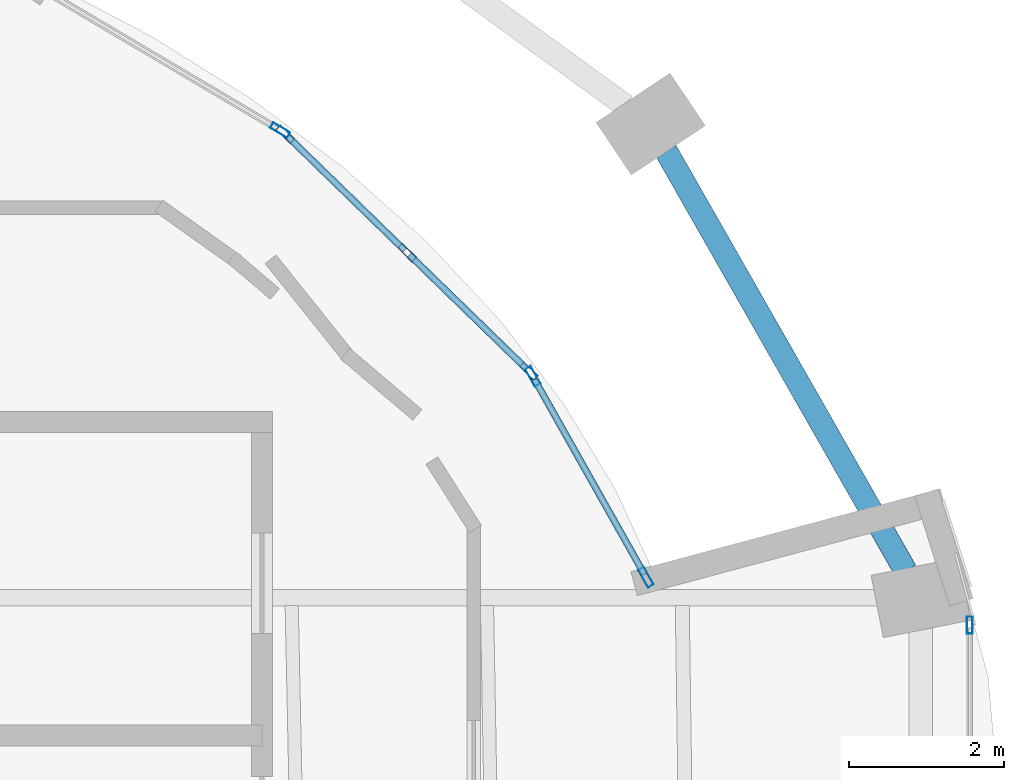
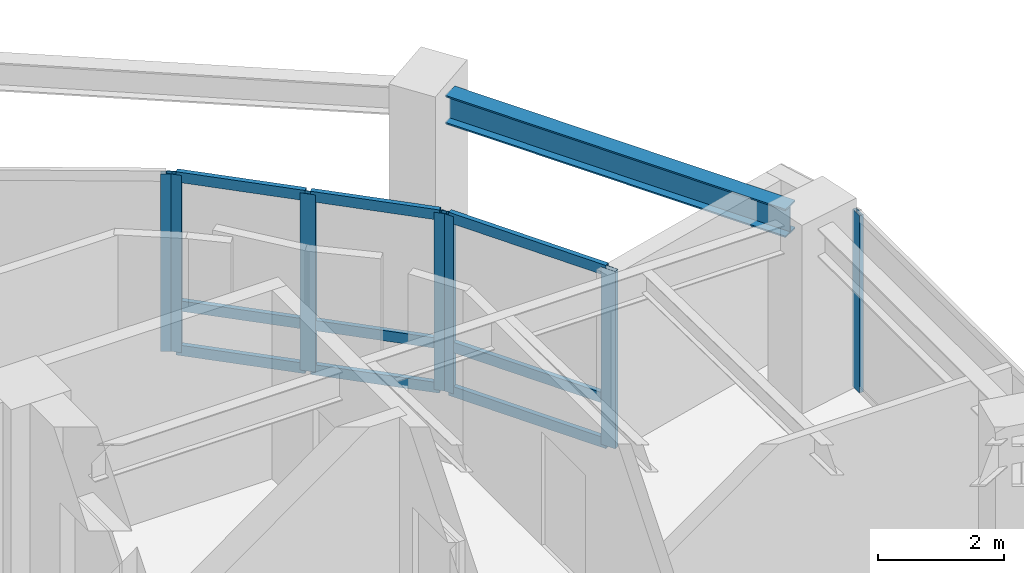
# One storey, part 11 of 19: 16 members, 1 beam, 4 elements without a shape of their own.
"""IFC4 building model written with IfcOpenShell, lengths in metres."""

import ifcopenshell
import ifcopenshell.guid

model = None  # the IFC model being written
_history = None  # IfcOwnerHistory: only IFC2X3 demands one
_inside = {}  # id of a spatial element -> (the spatial element, [elements in it])
_under = {}  # id of a project, library or spatial element -> (it, [spatial elements below it])
_declared = {}  # id of a project -> (the project, [libraries it declares])
_typed = {}  # id of a type object -> (the type object, [elements of that type])
_made_of = {}  # id of a material, layer set ... -> (it, [elements and type objects made of it])


def new_model(schema):
    """Start an empty IFC model of exactly this schema.

    Asked for "IFC4X3", IfcOpenShell would pick the latest addendum, in which some entities
    have other attributes; the version numbers below select the first issue.
    IFC2X3 requires an IfcOwnerHistory on every rooted entity: one is made here for all.
    """
    global model, _history
    if schema == "IFC4X3":
        model = ifcopenshell.file(schema_version=(4, 3, 0, 0))
    else:
        model = ifcopenshell.file(schema=schema)
    _inside.clear()
    _under.clear()
    _declared.clear()
    _typed.clear()
    _made_of.clear()
    _history = None
    if model.schema == "IFC2X3":
        org = make("IfcOrganization", Name="unknown")
        user = make(
            "IfcPersonAndOrganization",
            ThePerson=make("IfcPerson", FamilyName="unknown"),
            TheOrganization=org,
        )
        app = make(
            "IfcApplication",
            ApplicationDeveloper=org,
            Version="unknown",
            ApplicationFullName="unknown",
            ApplicationIdentifier="unknown",
        )
        _history = make(
            "IfcOwnerHistory",
            OwningUser=user,
            OwningApplication=app,
            ChangeAction="ADDED",
            CreationDate=0,
        )
    return model


def make(cls, **values):
    """One entity of the class cls with the attributes given. An attribute that is None is left unset."""
    return model.create_entity(
        cls, **{name: value for name, value in values.items() if value is not None}
    )


def rooted(cls, **values):
    """An entity with a GlobalId (a new one), such as an element, a storey or a relation."""
    return make(cls, GlobalId=ifcopenshell.guid.new(), OwnerHistory=_history, **values)


def si_unit(unit_type, name, prefix=None):
    """IfcSIUnit, for example si_unit("LENGTHUNIT", "METRE", prefix="MILLI")."""
    return make("IfcSIUnit", UnitType=unit_type, Prefix=prefix, Name=name)


def assignment(units):
    """IfcUnitAssignment: the units of a project."""
    return None if units is None else make("IfcUnitAssignment", Units=units)


def point(xyz):
    """IfcCartesianPoint."""
    return None if xyz is None else make("IfcCartesianPoint", Coordinates=xyz)


def direction(xyz):
    """IfcDirection."""
    return None if xyz is None else make("IfcDirection", DirectionRatios=xyz)


def frame(location, z_axis=None, x_axis=None):
    """IfcAxis2Placement3D, a coordinate frame: its origin and axes. An axis left out is left unset."""
    return make(
        "IfcAxis2Placement3D",
        Location=point(location),
        Axis=direction(z_axis),
        RefDirection=direction(x_axis),
    )


def frame_2d(location, x_axis=None):
    """IfcAxis2Placement2D, a coordinate frame in the plane: its origin and x axis."""
    return make(
        "IfcAxis2Placement2D", Location=point(location), RefDirection=direction(x_axis)
    )


def origin():
    """The frame at (0, 0, 0) with its axes left unset."""
    return frame((0.0, 0.0, 0.0))


def origin_2d():
    """The frame at (0, 0) in the plane with its x axis left unset."""
    return frame_2d((0.0, 0.0))


def place(relative_to, where):
    """IfcLocalPlacement: puts the frame where relative to a parent placement (None: the world)."""
    return make(
        "IfcLocalPlacement", PlacementRelTo=relative_to, RelativePlacement=where
    )


def context(
    kind, dimensions, precision=None, world=None, true_north=None, identifier=None
):
    """IfcGeometricRepresentationContext, for example the 3D "Model" context."""
    return make(
        "IfcGeometricRepresentationContext",
        ContextIdentifier=identifier,
        ContextType=kind,
        CoordinateSpaceDimension=dimensions,
        Precision=precision,
        WorldCoordinateSystem=world,
        TrueNorth=true_north,
    )


def subcontext(parent, identifier, kind, view, scale=None):
    """IfcGeometricRepresentationSubContext, for example "Body" below "Model"."""
    return make(
        "IfcGeometricRepresentationSubContext",
        ContextIdentifier=identifier,
        ContextType=kind,
        ParentContext=parent,
        TargetScale=scale,
        TargetView=view,
    )


def project(units=None, contexts=None):
    """IfcProject with its units and contexts."""
    return rooted(
        "IfcProject",
        Name="project",
        RepresentationContexts=contexts,
        UnitsInContext=assignment(units),
    )


def spatial(cls, under=None, at=None, **own):
    """A site, building, storey or space (cls), placed at a placement, below another one or the project."""
    s = rooted(cls, ObjectPlacement=at, **own)
    if under is not None:
        _under.setdefault(under.id(), (under, []))[1].append(s)
    return s


def profile(cls, at=None, kind="AREA", **sizes):
    """A parametric profile (cls). Its sizes go by their IFC names, for example OverallWidth=200.0."""
    return make(cls, ProfileType=kind, Position=at, **sizes)


def hollow_rectangle(**sizes):
    """IfcRectangleHollowProfileDef."""
    return profile("IfcRectangleHollowProfileDef", **sizes)


def i_section(**sizes):
    """IfcIShapeProfileDef."""
    return profile("IfcIShapeProfileDef", **sizes)


def extrude(swept, where, along, depth):
    """IfcExtrudedAreaSolid: the profile swept, set in the frame where, extruded along a direction by depth."""
    return make(
        "IfcExtrudedAreaSolid",
        SweptArea=swept,
        Position=where,
        ExtrudedDirection=direction(along),
        Depth=depth,
    )


def shape(context_of_items, identifier, shape_type, items):
    """IfcShapeRepresentation: the items that make up one representation, for example the "Body"."""
    return make(
        "IfcShapeRepresentation",
        ContextOfItems=context_of_items,
        RepresentationIdentifier=identifier,
        RepresentationType=shape_type,
        Items=items,
    )


def material(Name=None, Category=None):
    """IfcMaterial."""
    return make("IfcMaterial", Name=Name, Category=Category)


def layer(
    of_material, thickness, ventilated=None, Name=None, Category=None, Priority=None
):
    """IfcMaterialLayer: one layer of a wall or slab, of a material (None: an air gap)."""
    return make(
        "IfcMaterialLayer",
        Material=of_material,
        LayerThickness=thickness,
        IsVentilated=ventilated,
        Name=Name,
        Category=Category,
        Priority=Priority,
    )


def layer_set(layers, Name=None):
    """IfcMaterialLayerSet."""
    return make("IfcMaterialLayerSet", MaterialLayers=layers, LayerSetName=Name)


def material_profile(
    of_material, cross_section, Name=None, Category=None, Priority=None
):
    """IfcMaterialProfile: a cross section and its material."""
    return make(
        "IfcMaterialProfile",
        Name=Name,
        Material=of_material,
        Profile=cross_section,
        Priority=Priority,
        Category=Category,
    )


def profile_set(profiles, Name=None, composite=None):
    """IfcMaterialProfileSet."""
    return make(
        "IfcMaterialProfileSet",
        Name=Name,
        MaterialProfiles=profiles,
        CompositeProfile=composite,
    )


def made_of(thing, what):
    """Note that an element or type object is made of a material, layer set ...; save() writes the relation."""
    if what is not None:
        _made_of.setdefault(what.id(), (what, []))[1].append(thing)
    return thing


def type_object(cls, material=None, **own):
    """A type object (cls), such as IfcWallType, which elements share."""
    return made_of(rooted(cls, **own), material)


def element(
    cls,
    number,
    at=None,
    inside=None,
    cuts=None,
    type_object=None,
    material=None,
    context=None,
    identifier="Body",
    shape_type=None,
    held_by="IfcProductDefinitionShape",
    body=None,
    shapes=None,
    **own,
):
    """One element of the class cls, such as IfcWall. Its Tag is "e" and its number.

    at: its placement. inside: the storey or other place that contains it. cuts: it is an
    opening in that element (IfcRelVoidsElement). A single representation is given by context,
    identifier, shape_type and body (its items); several are given by shapes. held_by: the class
    of the entity that holds the representations. save() writes the other relations.
    """
    e = rooted(cls, Tag="e%d" % number, ObjectPlacement=at, **own)
    if body is not None:
        shapes = [shape(context, identifier, shape_type, body)]
    if shapes is not None:
        e.Representation = make(held_by, Representations=shapes)
    if inside is not None:
        _inside.setdefault(inside.id(), (inside, []))[1].append(e)
    if cuts is not None:
        rooted(
            "IfcRelVoidsElement", RelatingBuildingElement=cuts, RelatedOpeningElement=e
        )
    if type_object is not None:
        _typed.setdefault(type_object.id(), (type_object, []))[1].append(e)
    return made_of(e, material)


def aggregate(whole, parts):
    """IfcRelAggregates: a whole, such as a stair, and the parts it consists of."""
    return rooted("IfcRelAggregates", RelatingObject=whole, RelatedObjects=parts)


def save(model, path):
    """Write the relations noted so far, then the file.

    IfcRelAggregates (storeys below a building ...), IfcRelContainedInSpatialStructure (elements
    in a storey), IfcRelDefinesByType, IfcRelAssociatesMaterial and IfcRelDeclares: one each for
    every whole, place, type object, material and project.
    """
    for whole, parts in _under.values():
        aggregate(whole, parts)
    for where, things in _inside.values():
        rooted(
            "IfcRelContainedInSpatialStructure",
            RelatedElements=things,
            RelatingStructure=where,
        )
    for kind, things in _typed.values():
        rooted("IfcRelDefinesByType", RelatedObjects=things, RelatingType=kind)
    for what, things in _made_of.values():
        rooted("IfcRelAssociatesMaterial", RelatedObjects=things, RelatingMaterial=what)
    for by, libraries in _declared.values():
        rooted("IfcRelDeclares", RelatingContext=by, RelatedDefinitions=libraries)
    model.write(path)


model = new_model("IFC4")

# Units and contexts
model_context = context("Model", 3, precision=1e-05, world=origin(), true_north=direction((0.0, 1.0)))
body_context = subcontext(model_context, "Body", "Model", "MODEL_VIEW")
ifc_project = project(units=[si_unit("LENGTHUNIT", "METRE"), si_unit("AREAUNIT", "SQUARE_METRE"), si_unit("VOLUMEUNIT", "CUBIC_METRE"), si_unit("PLANEANGLEUNIT", "RADIAN"), si_unit("MASSUNIT", "GRAM", prefix="KILO")], contexts=[model_context])

# Site, building, storey
site_placement = place(None, origin())
site = spatial("IfcSite", under=ifc_project, at=site_placement, CompositionType="ELEMENT")
building_placement = place(site_placement, origin())
building = spatial("IfcBuilding", under=site, at=building_placement, Name="Lazwardi Medical Tower", CompositionType="ELEMENT")
storey_placement = place(building_placement, frame((0.0, 0.0, 167.471923828125)))
storey = spatial("IfcBuildingStorey", under=building, at=storey_placement, Name="L43", CompositionType="ELEMENT", Elevation=167.471923828125)

# Beam
ifc_material_1 = material(Name="Steel S355", Category="steel")
ifc_material_profile_1 = material_profile(ifc_material_1, i_section(OverallWidth=0.300048828125, OverallDepth=0.550048828125, WebThickness=0.014892578125, FlangeThickness=0.029052734375, at=origin_2d()), Name="HEB 550")
ifc_profile_set_1 = profile_set([ifc_material_profile_1], Name="Steel S355")
beam_type = type_object("IfcBeamType", Name="BM-RB-Z3", PredefinedType="BEAM", material=ifc_profile_set_1)
beam_placement = place(storey_placement, frame((58.727783203125, 34.05908203125, 3.153076171875), z_axis=(-0.495460926326, 0.868630226554, 0.0), x_axis=(-0.868630226554, -0.495460926326, 0.0)))
element("IfcBeam", 1, at=beam_placement, inside=storey, type_object=beam_type, Name="Ring beam RB-04 B05 L43", PredefinedType="BEAM", context=body_context, shape_type="SweptSolid", body=[
    extrude(i_section(OverallWidth=0.300048828125, OverallDepth=0.550048828125, WebThickness=0.014892578125, FlangeThickness=0.029052734375, at=origin_2d()), origin(), (0.0, 0.0, 1.0), 6.24462890625),
])

# Curtain wall, member
ifc_material_2 = material(Name="Anodised bronze aluminium and solar control glazing", Category="aluminium")
ifc_layer_1 = layer(ifc_material_2, 0.195068359375)
ifc_layer_set_1 = layer_set([ifc_layer_1], Name="Anodised bronze aluminium and solar control glazing")
curtain_wall_type_1 = type_object("IfcCurtainWallType", Name="CW-SYS-03", PredefinedType="NOTDEFINED", material=ifc_layer_set_1)
curtain_wall_1_placement = place(storey_placement, origin())
curtain_wall_1 = element("IfcCurtainWall", 2, at=curtain_wall_1_placement, inside=storey, type_object=curtain_wall_type_1, Name="L43 Unitised bronze curtain wall CW-03", PredefinedType="NOTDEFINED")
ifc_material_3 = material(Name="Anodised bronze aluminium", Category="aluminium")
ifc_material_profile_2 = material_profile(ifc_material_3, hollow_rectangle(XDim=0.074951171875, YDim=0.219970703125, WallThickness=0.00390625, at=origin_2d()), Name="ALU-MULLION 220x75x4")
ifc_profile_set_2 = profile_set([ifc_material_profile_2], Name="Anodised bronze aluminium")
member_type_1 = type_object("IfcMemberType", Name="CW-MUL-01", PredefinedType="MULLION", material=ifc_profile_set_2)
member_1_placement = place(storey_placement, frame((59.5576171875, 33.35791015625, 0.0), z_axis=(0.0, 0.0, 1.0), x_axis=(-1.0, 0.0, 0.0)))
member_1 = element("IfcMember", 3, at=member_1_placement, type_object=member_type_1, Name="CW-03 mullion 2", PredefinedType="MULLION", context=body_context, shape_type="SweptSolid", body=[
    extrude(hollow_rectangle(XDim=0.074951171875, YDim=0.219970703125, WallThickness=0.00390625, at=origin_2d()), origin(), (0.0, 0.0, 1.0), 3.427978515625),
])
aggregate(curtain_wall_1, [member_1])

# Curtain wall, members
ifc_layer_2 = layer(ifc_material_2, 0.239990234375)
ifc_layer_set_2 = layer_set([ifc_layer_2], Name="Anodised bronze aluminium and solar control glazing")
curtain_wall_type_2 = type_object("IfcCurtainWallType", Name="CW-SYS-05", PredefinedType="NOTDEFINED", material=ifc_layer_set_2)
curtain_wall_2_placement = place(storey_placement, origin())
curtain_wall_2 = element("IfcCurtainWall", 4, at=curtain_wall_2_placement, inside=storey, type_object=curtain_wall_type_2, Name="L43 Unitised bronze curtain wall CW-05", PredefinedType="NOTDEFINED")
ifc_material_profile_3 = material_profile(ifc_material_3, hollow_rectangle(XDim=0.0849609375, YDim=0.260009765625, WallThickness=0.0048828125, at=origin_2d()), Name="ALU-MULLION 260x85x5")
ifc_profile_set_3 = profile_set([ifc_material_profile_3], Name="Anodised bronze aluminium")
member_type_2 = type_object("IfcMemberType", Name="CW-MUL-02", PredefinedType="MULLION", material=ifc_profile_set_3)
member_2_placement = place(storey_placement, frame((55.375, 33.9775390625, 0.0), z_axis=(0.0, 0.0, 1.0), x_axis=(-0.87122325606, -0.49088699117, 0.0)))
member_2 = element("IfcMember", 5, at=member_2_placement, type_object=member_type_2, Name="CW-05 mullion 1", PredefinedType="MULLION", context=body_context, shape_type="SweptSolid", body=[
    extrude(hollow_rectangle(XDim=0.0849609375, YDim=0.260009765625, WallThickness=0.0048828125, at=origin_2d()), origin(), (0.0, 0.0, 1.0), 3.427978515625),
])
member_3_placement = place(storey_placement, frame((53.912353515625, 36.573486328125, 0.0), z_axis=(0.0, 0.0, 1.0), x_axis=(-0.87122325606, -0.49088699117, 0.0)))
member_3 = element("IfcMember", 6, at=member_3_placement, type_object=member_type_2, Name="CW-05 mullion 2", PredefinedType="MULLION", context=body_context, shape_type="SweptSolid", body=[
    extrude(hollow_rectangle(XDim=0.0849609375, YDim=0.260009765625, WallThickness=0.0048828125, at=origin_2d()), origin(), (0.0, 0.0, 1.0), 3.427978515625),
])

# Curtain wall, member
curtain_wall_3_placement = place(storey_placement, origin())
curtain_wall_3 = element("IfcCurtainWall", 7, at=curtain_wall_3_placement, inside=storey, type_object=curtain_wall_type_2, Name="L43 Unitised bronze curtain wall CW-05", PredefinedType="NOTDEFINED")
member_4_placement = place(storey_placement, frame((50.64892578125, 39.75146484375, 0.0), z_axis=(0.0, 0.0, 1.0), x_axis=(-0.509570850923, -0.860428700061, 0.0)))
member_4 = element("IfcMember", 8, at=member_4_placement, type_object=member_type_2, Name="CW-05 mullion 1", PredefinedType="MULLION", context=body_context, shape_type="SweptSolid", body=[
    extrude(hollow_rectangle(XDim=0.0849609375, YDim=0.260009765625, WallThickness=0.0048828125, at=origin_2d()), origin(), (0.0, 0.0, 1.0), 3.427978515625),
])
aggregate(curtain_wall_3, [member_4])

# Curtain wall, members
curtain_wall_4_placement = place(storey_placement, origin())
curtain_wall_4 = element("IfcCurtainWall", 9, at=curtain_wall_4_placement, inside=storey, type_object=curtain_wall_type_2, Name="L43 Unitised bronze curtain wall CW-05", PredefinedType="NOTDEFINED")
member_5_placement = place(storey_placement, frame((53.86083984375, 36.64013671875, 0.0), z_axis=(0.0, 0.0, 1.0), x_axis=(-0.697348441329, -0.716732273151, 0.0)))
member_5 = element("IfcMember", 10, at=member_5_placement, type_object=member_type_2, Name="CW-05 mullion 1", PredefinedType="MULLION", context=body_context, shape_type="SweptSolid", body=[
    extrude(hollow_rectangle(XDim=0.0849609375, YDim=0.260009765625, WallThickness=0.0048828125, at=origin_2d()), origin(), (0.0, 0.0, 1.0), 3.427978515625),
])
member_6_placement = place(storey_placement, frame((52.28857421875, 38.170166015625, 0.0), z_axis=(0.0, 0.0, 1.0), x_axis=(-0.697348441329, -0.716732273151, 0.0)))
member_6 = element("IfcMember", 11, at=member_6_placement, type_object=member_type_2, Name="CW-05 mullion 2", PredefinedType="MULLION", context=body_context, shape_type="SweptSolid", body=[
    extrude(hollow_rectangle(XDim=0.0849609375, YDim=0.260009765625, WallThickness=0.0048828125, at=origin_2d()), origin(), (0.0, 0.0, 1.0), 3.427978515625),
])
member_7_placement = place(storey_placement, frame((50.716064453125, 39.699951171875, 0.0), z_axis=(0.0, 0.0, 1.0), x_axis=(-0.697348441329, -0.716732273151, 0.0)))
member_7 = element("IfcMember", 12, at=member_7_placement, type_object=member_type_2, Name="CW-05 mullion 3", PredefinedType="MULLION", context=body_context, shape_type="SweptSolid", body=[
    extrude(hollow_rectangle(XDim=0.0849609375, YDim=0.260009765625, WallThickness=0.0048828125, at=origin_2d()), origin(), (0.0, 0.0, 1.0), 3.427978515625),
])

# Member
ifc_material_profile_4 = material_profile(ifc_material_3, hollow_rectangle(XDim=0.0849609375, YDim=0.199951171875, WallThickness=0.00439453125, at=origin_2d()), Name="ALU-TRANSOM 200x85x4.5")
ifc_profile_set_4 = profile_set([ifc_material_profile_4], Name="Anodised bronze aluminium")
member_type_3 = type_object("IfcMemberType", Name="CW-TRN-02", PredefinedType="USERDEFINED", material=ifc_profile_set_4)
member_8_placement = place(storey_placement, frame((55.35400390625, 34.0146484375, 0.04248046875), z_axis=(-0.490861767795, 0.871237467581, 0.0), x_axis=(-0.871237467581, -0.490861767795, 0.0)))
member_8 = element("IfcMember", 13, at=member_8_placement, type_object=member_type_3, Name="CW-05 transom 1.1", ObjectType="TRANSOM", PredefinedType="USERDEFINED", context=body_context, shape_type="SweptSolid", body=[
    extrude(hollow_rectangle(XDim=0.0849609375, YDim=0.199951171875, WallThickness=0.00439453125, at=origin_2d()), origin(), (0.0, 0.0, 1.0), 2.894775390625),
])

member_9_placement = place(storey_placement, frame((55.35400390625, 34.0146484375, 0.900146484375), z_axis=(-0.490861767795, 0.871237467581, 0.0), x_axis=(-0.871237467581, -0.490861767795, 0.0)))
member_9 = element("IfcMember", 14, at=member_9_placement, type_object=member_type_3, Name="CW-05 transom 1.2", ObjectType="TRANSOM", PredefinedType="USERDEFINED", context=body_context, shape_type="SweptSolid", body=[
    extrude(hollow_rectangle(XDim=0.0849609375, YDim=0.199951171875, WallThickness=0.00439453125, at=origin_2d()), origin(), (0.0, 0.0, 1.0), 2.894775390625),
])

member_10_placement = place(storey_placement, frame((55.35400390625, 34.0146484375, 3.385498046875), z_axis=(-0.490861767795, 0.871237467581, 0.0), x_axis=(-0.871237467581, -0.490861767795, 0.0)))
member_10 = element("IfcMember", 15, at=member_10_placement, type_object=member_type_3, Name="CW-05 transom 1.3", ObjectType="TRANSOM", PredefinedType="USERDEFINED", context=body_context, shape_type="SweptSolid", body=[
    extrude(hollow_rectangle(XDim=0.0849609375, YDim=0.199951171875, WallThickness=0.00439453125, at=origin_2d()), origin(), (0.0, 0.0, 1.0), 2.894775390625),
])

aggregate(curtain_wall_2, [member_2, member_3, member_8, member_9, member_10])

member_11_placement = place(storey_placement, frame((53.83056640625, 36.669921875, 0.04248046875), z_axis=(-0.716763458391, 0.697316387815, 0.0), x_axis=(-0.697316387815, -0.716763458391, 0.0)))
member_11 = element("IfcMember", 16, at=member_11_placement, type_object=member_type_3, Name="CW-05 transom 1.1", ObjectType="TRANSOM", PredefinedType="USERDEFINED", context=body_context, shape_type="SweptSolid", body=[
    extrude(hollow_rectangle(XDim=0.0849609375, YDim=0.199951171875, WallThickness=0.00439453125, at=origin_2d()), origin(), (0.0, 0.0, 1.0), 2.109130859375),
])

member_12_placement = place(storey_placement, frame((53.83056640625, 36.669921875, 0.900146484375), z_axis=(-0.716763458391, 0.697316387815, 0.0), x_axis=(-0.697316387815, -0.716763458391, 0.0)))
member_12 = element("IfcMember", 17, at=member_12_placement, type_object=member_type_3, Name="CW-05 transom 1.2", ObjectType="TRANSOM", PredefinedType="USERDEFINED", context=body_context, shape_type="SweptSolid", body=[
    extrude(hollow_rectangle(XDim=0.0849609375, YDim=0.199951171875, WallThickness=0.00439453125, at=origin_2d()), origin(), (0.0, 0.0, 1.0), 2.109130859375),
])

member_13_placement = place(storey_placement, frame((53.83056640625, 36.669921875, 3.385498046875), z_axis=(-0.716763458391, 0.697316387815, 0.0), x_axis=(-0.697316387815, -0.716763458391, 0.0)))
member_13 = element("IfcMember", 18, at=member_13_placement, type_object=member_type_3, Name="CW-05 transom 1.3", ObjectType="TRANSOM", PredefinedType="USERDEFINED", context=body_context, shape_type="SweptSolid", body=[
    extrude(hollow_rectangle(XDim=0.0849609375, YDim=0.199951171875, WallThickness=0.00439453125, at=origin_2d()), origin(), (0.0, 0.0, 1.0), 2.109130859375),
])

member_14_placement = place(storey_placement, frame((52.258056640625, 38.19970703125, 0.04248046875), z_axis=(-0.716707164833, 0.697374246641, 0.0), x_axis=(-0.697374246641, -0.716707164833, 0.0)))
member_14 = element("IfcMember", 19, at=member_14_placement, type_object=member_type_3, Name="CW-05 transom 2.1", ObjectType="TRANSOM", PredefinedType="USERDEFINED", context=body_context, shape_type="SweptSolid", body=[
    extrude(hollow_rectangle(XDim=0.0849609375, YDim=0.199951171875, WallThickness=0.00439453125, at=origin_2d()), origin(), (0.0, 0.0, 1.0), 2.10888671875),
])

member_15_placement = place(storey_placement, frame((52.258056640625, 38.19970703125, 0.900146484375), z_axis=(-0.716707164833, 0.697374246641, 0.0), x_axis=(-0.697374246641, -0.716707164833, 0.0)))
member_15 = element("IfcMember", 20, at=member_15_placement, type_object=member_type_3, Name="CW-05 transom 2.2", ObjectType="TRANSOM", PredefinedType="USERDEFINED", context=body_context, shape_type="SweptSolid", body=[
    extrude(hollow_rectangle(XDim=0.0849609375, YDim=0.199951171875, WallThickness=0.00439453125, at=origin_2d()), origin(), (0.0, 0.0, 1.0), 2.10888671875),
])

member_16_placement = place(storey_placement, frame((52.258056640625, 38.19970703125, 3.385498046875), z_axis=(-0.716707164833, 0.697374246641, 0.0), x_axis=(-0.697374246641, -0.716707164833, 0.0)))
member_16 = element("IfcMember", 21, at=member_16_placement, type_object=member_type_3, Name="CW-05 transom 2.3", ObjectType="TRANSOM", PredefinedType="USERDEFINED", context=body_context, shape_type="SweptSolid", body=[
    extrude(hollow_rectangle(XDim=0.0849609375, YDim=0.199951171875, WallThickness=0.00439453125, at=origin_2d()), origin(), (0.0, 0.0, 1.0), 2.10888671875),
])

aggregate(curtain_wall_4, [member_5, member_6, member_7, member_11, member_12, member_13, member_14, member_15, member_16])

save(model, "model.ifc")
